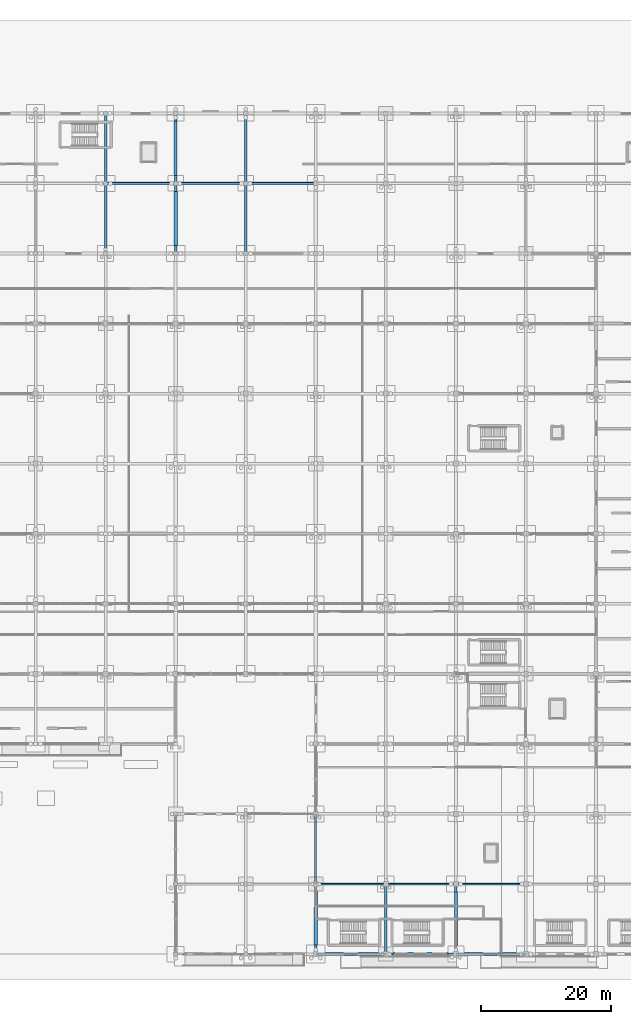
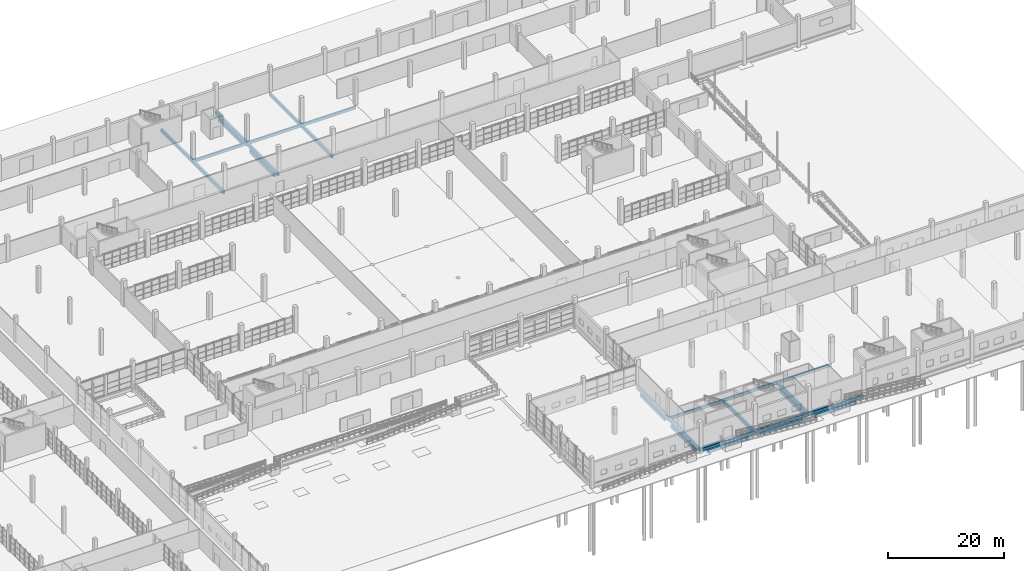
# One storey, part 58 of 138: 27 beams.
"""IFC4 building model written with IfcOpenShell, lengths in metres."""

from ifc_helpers import new_model, si_unit, direction, frame, origin, origin_2d, place, context, subcontext, project, spatial, rectangle, extrude, material, material_profile, profile_set, type_object, element, save


model = new_model("IFC4")

# Units and contexts
model_context = context("Model", 3, precision=1e-05, world=origin(), true_north=direction((0.0, 1.0)))
body_context = subcontext(model_context, "Body", "Model", "MODEL_VIEW")
ifc_project = project(units=[si_unit("LENGTHUNIT", "METRE"), si_unit("AREAUNIT", "SQUARE_METRE"), si_unit("VOLUMEUNIT", "CUBIC_METRE"), si_unit("PLANEANGLEUNIT", "RADIAN"), si_unit("MASSUNIT", "GRAM", prefix="KILO")], contexts=[model_context])

# Site, building, storey
site_placement = place(None, origin())
site = spatial("IfcSite", under=ifc_project, at=site_placement, CompositionType="ELEMENT")
building_placement = place(site_placement, origin())
building = spatial("IfcBuilding", under=site, at=building_placement, Name="Zwinboog Wholesale Market", CompositionType="ELEMENT")
storey_placement = place(building_placement, origin())
storey = spatial("IfcBuildingStorey", under=building, at=storey_placement, Name="L00", CompositionType="ELEMENT", Elevation=0.0)

# Beams
ifc_material_1 = material(Name="Precast concrete C45/55", Category="concrete")
ifc_material_profile_1 = material_profile(ifc_material_1, rectangle(XDim=0.39990234375, YDim=0.64990234375, at=origin_2d()), Name="PC 400x650")
ifc_profile_set_1 = profile_set([ifc_material_profile_1], Name="Precast concrete C45/55")
beam_type_1 = type_object("IfcBeamType", Name="BT-05", PredefinedType="BEAM", material=ifc_profile_set_1)
beam_1_placement = place(storey_placement, frame((129.60009765625, 0.0, -0.705078125), z_axis=(1.0, 0.0, 0.0), x_axis=(0.0, 1.0, 0.0)))
element("IfcBeam", 1, at=beam_1_placement, inside=storey, type_object=beam_type_1, Name="BG-05 (BMG-L00-1296-0000-0007)", PredefinedType="BEAM", context=body_context, shape_type="SweptSolid", body=[
    extrude(rectangle(XDim=0.39990234375, YDim=0.64990234375, at=origin_2d()), origin(), (0.0, 0.0, 1.0), 10.7998046875),
])
for number, where, z_axis, x_axis, name in (
    (2, (140.39990234375, 0.0, -0.6669921875), (1.0, 0.0, 0.0), (0.0, 1.0, 0.0), "BG-05 (BMG-L00-1404-0000-0008)"),
    (3, (151.199951171875, 0.0, -0.6669921875), (1.0, 0.0, 0.0), (0.0, 1.0, 0.0), "BG-05 (BMG-L00-1512-0000-0009)"),
    (4, (97.199951171875, 108.0, -0.675048828125), (0.0, 1.0, 0.0), (-1.0, 0.0, 0.0), "BG-05 (BMG-L00-0972-1080-0307)"),
    (5, (97.199951171875, 118.800048828125, -0.6669921875), (0.0, 1.0, 0.0), (-1.0, 0.0, 0.0), "BG-05 (BMG-L00-0972-1188-0308)"),
    (6, (108.0, 108.0, -0.675048828125), (0.0, 1.0, 0.0), (-1.0, 0.0, 0.0), "BG-05 (BMG-L00-1080-1080-0317)"),
    (7, (108.0, 118.800048828125, -0.6669921875), (0.0, 1.0, 0.0), (-1.0, 0.0, 0.0), "BG-05 (BMG-L00-1080-1188-0318)"),
    (8, (118.800048828125, 108.0, -0.6669921875), (0.0, 1.0, 0.0), (-1.0, 0.0, 0.0), "BG-05 (BMG-L00-1188-1080-0327)"),
    (9, (118.800048828125, 118.800048828125, -0.6669921875), (0.0, 1.0, 0.0), (-1.0, 0.0, 0.0), "BG-05 (BMG-L00-1188-1188-0328)"),
    (10, (129.60009765625, 0.0, -0.705078125), (0.0, 1.0, 0.0), (-1.0, 0.0, 0.0), "BG-05 (BMG-L00-1296-0000-0329)"),
    (11, (129.60009765625, 10.800048828125, -0.705078125), (0.0, 1.0, 0.0), (-1.0, 0.0, 0.0), "BG-05 (BMG-L00-1296-0108-0330)"),
    (12, (140.39990234375, 0.0, -0.6669921875), (0.0, 1.0, 0.0), (-1.0, 0.0, 0.0), "BG-05 (BMG-L00-1404-0000-0341)"),
    (13, (151.199951171875, 0.0, -0.6669921875), (0.0, 1.0, 0.0), (-1.0, 0.0, 0.0), "BG-05 (BMG-L00-1512-0000-0353)"),
):
    element("IfcBeam", number, at=place(storey_placement, frame(where, z_axis=z_axis, x_axis=x_axis)), inside=storey, type_object=beam_type_1, Name=name, PredefinedType="BEAM", context=body_context, shape_type="SweptSolid", body=[
        extrude(rectangle(XDim=0.39990234375, YDim=0.64990234375, at=origin_2d()), origin(), (0.0, 0.0, 1.0), 10.800048828125),
    ])
ifc_material_profile_2 = material_profile(ifc_material_1, rectangle(XDim=0.300048828125, YDim=0.60009765625, at=origin_2d()), Name="PC 300x600")
ifc_profile_set_2 = profile_set([ifc_material_profile_2], Name="Precast concrete C45/55")
beam_type_2 = type_object("IfcBeamType", Name="BT-09", PredefinedType="SPANDREL", material=ifc_profile_set_2)
beam_2_placement = place(storey_placement, frame((129.60009765625, 10.800048828125, -0.679931640625), z_axis=(1.0, 0.0, 0.0), x_axis=(0.0, 1.0, 0.0)))
element("IfcBeam", 14, at=beam_2_placement, inside=storey, type_object=beam_type_2, Name="SP-02 (BMG-L00-1296-0108-0021)", PredefinedType="SPANDREL", context=body_context, shape_type="SweptSolid", body=[
    extrude(rectangle(XDim=0.300048828125, YDim=0.60009765625, at=origin_2d()), origin(), (0.0, 0.0, 1.0), 10.7998046875),
])
for number, where, z_axis, x_axis, name in (
    (15, (140.39990234375, 10.800048828125, -0.64208984375), (1.0, 0.0, 0.0), (0.0, 1.0, 0.0), "SP-02 (BMG-L00-1404-0108-0022)"),
    (16, (151.199951171875, 10.800048828125, -0.64208984375), (1.0, 0.0, 0.0), (0.0, 1.0, 0.0), "SP-02 (BMG-L00-1512-0108-0023)"),
    (17, (97.199951171875, 118.800048828125, -0.64208984375), (1.0, 0.0, 0.0), (0.0, 1.0, 0.0), "SP-02 (BMG-L00-0972-1188-0180)"),
    (18, (108.0, 118.800048828125, -0.64208984375), (1.0, 0.0, 0.0), (0.0, 1.0, 0.0), "SP-02 (BMG-L00-1080-1188-0181)"),
    (19, (118.800048828125, 118.800048828125, -0.64208984375), (1.0, 0.0, 0.0), (0.0, 1.0, 0.0), "SP-02 (BMG-L00-1188-1188-0182)"),
):
    element("IfcBeam", number, at=place(storey_placement, frame(where, z_axis=z_axis, x_axis=x_axis)), inside=storey, type_object=beam_type_2, Name=name, PredefinedType="SPANDREL", context=body_context, shape_type="SweptSolid", body=[
        extrude(rectangle(XDim=0.300048828125, YDim=0.60009765625, at=origin_2d()), origin(), (0.0, 0.0, 1.0), 10.800048828125),
    ])
ifc_material_2 = material(Name="Concrete C35/45", Category="concrete")
ifc_material_profile_3 = material_profile(ifc_material_2, rectangle(XDim=0.5, YDim=0.699951171875, at=origin_2d()), Name="RC 500x700")
ifc_profile_set_3 = profile_set([ifc_material_profile_3], Name="Concrete C35/45")
beam_type_3 = type_object("IfcBeamType", Name="BT-12", PredefinedType="USERDEFINED", material=ifc_profile_set_3)
beam_3_placement = place(storey_placement, frame((131.0048828125, 0.0, -1.550048828125), z_axis=(1.0, 0.0, 0.0), x_axis=(0.0, 1.0, 0.0)))
element("IfcBeam", 20, at=beam_3_placement, inside=storey, type_object=beam_type_3, Name="GB-01 (BM-GB-0007)", ObjectType="GROUND_BEAM", PredefinedType="USERDEFINED", context=body_context, shape_type="SweptSolid", body=[
    extrude(rectangle(XDim=0.5, YDim=0.699951171875, at=origin_2d()), origin(), (0.0, 0.0, 1.0), 8.2900390625),
])
beam_4_placement = place(storey_placement, frame((152.455078125, 0.0, -1.550048828125), z_axis=(1.0, 0.0, 0.0), x_axis=(0.0, 1.0, 0.0)))
element("IfcBeam", 21, at=beam_4_placement, inside=storey, type_object=beam_type_3, Name="GB-01 (BM-GB-0009)", ObjectType="GROUND_BEAM", PredefinedType="USERDEFINED", context=body_context, shape_type="SweptSolid", body=[
    extrude(rectangle(XDim=0.5, YDim=0.699951171875, at=origin_2d()), origin(), (0.0, 0.0, 1.0), 8.08984375),
])
beam_5_placement = place(storey_placement, frame((108.0, 109.2548828125, -1.550048828125), z_axis=(0.0, 1.0, 0.0), x_axis=(-1.0, 0.0, 0.0)))
element("IfcBeam", 22, at=beam_5_placement, inside=storey, type_object=beam_type_3, Name="GB-01 (BM-GB-0170)", ObjectType="GROUND_BEAM", PredefinedType="USERDEFINED", context=body_context, shape_type="SweptSolid", body=[
    extrude(rectangle(XDim=0.5, YDim=0.699951171875, at=origin_2d()), origin(), (0.0, 0.0, 1.0), 8.340087890625),
])
for number, where, z_axis, x_axis, name in (
    (23, (129.60009765625, 1.405029296875, -1.550048828125), (0.0, 1.0, 0.0), (-1.0, 0.0, 0.0), "GB-01 (BM-GB-0172)"),
    (24, (151.199951171875, 1.2548828125, -1.550048828125), (0.0, 1.0, 0.0), (-1.0, 0.0, 0.0), "GB-01 (BM-GB-0184)"),
):
    element("IfcBeam", number, at=place(storey_placement, frame(where, z_axis=z_axis, x_axis=x_axis)), inside=storey, type_object=beam_type_3, Name=name, ObjectType="GROUND_BEAM", PredefinedType="USERDEFINED", context=body_context, shape_type="SweptSolid", body=[
        extrude(rectangle(XDim=0.5, YDim=0.699951171875, at=origin_2d()), origin(), (0.0, 0.0, 1.0), 8.2900390625),
    ])
ifc_material_profile_4 = material_profile(ifc_material_2, rectangle(XDim=0.449951171875, YDim=0.64990234375, at=origin_2d()), Name="RC 450x650")
ifc_profile_set_4 = profile_set([ifc_material_profile_4], Name="Concrete C35/45")
beam_type_4 = type_object("IfcBeamType", Name="BT-13", PredefinedType="USERDEFINED", material=ifc_profile_set_4)
beam_6_placement = place(storey_placement, frame((141.5048828125, 0.0, -1.52490234375), z_axis=(1.0, 0.0, 0.0), x_axis=(0.0, 1.0, 0.0)))
element("IfcBeam", 25, at=beam_6_placement, inside=storey, type_object=beam_type_4, Name="GB-02 (BM-GB-0008)", ObjectType="GROUND_BEAM", PredefinedType="USERDEFINED", context=body_context, shape_type="SweptSolid", body=[
    extrude(rectangle(XDim=0.449951171875, YDim=0.64990234375, at=origin_2d()), origin(), (0.0, 0.0, 1.0), 8.440185546875),
])
beam_7_placement = place(storey_placement, frame((108.0, 120.0048828125, -1.52490234375), z_axis=(0.0, 1.0, 0.0), x_axis=(-1.0, 0.0, 0.0)))
element("IfcBeam", 26, at=beam_7_placement, inside=storey, type_object=beam_type_4, Name="GB-02 (BM-GB-0171)", ObjectType="GROUND_BEAM", PredefinedType="USERDEFINED", context=body_context, shape_type="SweptSolid", body=[
    extrude(rectangle(XDim=0.449951171875, YDim=0.64990234375, at=origin_2d()), origin(), (0.0, 0.0, 1.0), 8.39013671875),
])
beam_8_placement = place(storey_placement, frame((129.60009765625, 11.905029296875, -1.52490234375), z_axis=(0.0, 1.0, 0.0), x_axis=(-1.0, 0.0, 0.0)))
element("IfcBeam", 27, at=beam_8_placement, inside=storey, type_object=beam_type_4, Name="GB-02 (BM-GB-0173)", ObjectType="GROUND_BEAM", PredefinedType="USERDEFINED", context=body_context, shape_type="SweptSolid", body=[
    extrude(rectangle(XDim=0.449951171875, YDim=0.64990234375, at=origin_2d()), origin(), (0.0, 0.0, 1.0), 8.43994140625),
])

save(model, "model.ifc")
